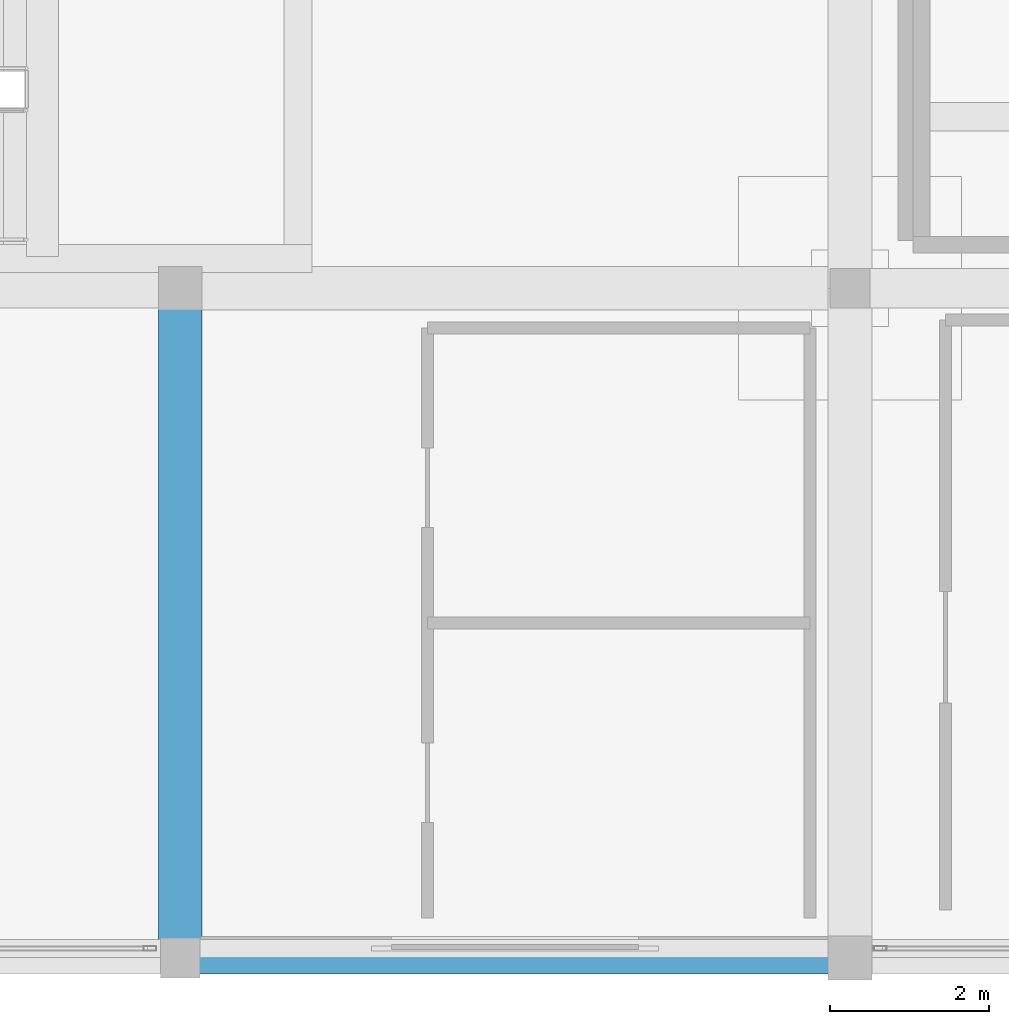
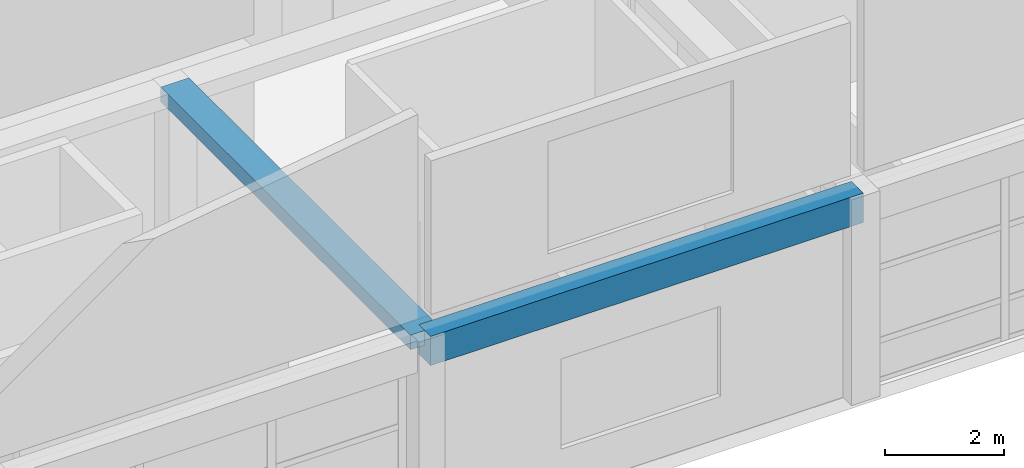
# One storey, part 3 of 17: 2 beams.
"""IFC4 building model written with IfcOpenShell, lengths in metres."""

from ifc_helpers import new_model, si_unit, direction, frame, origin, origin_2d, place, context, subcontext, project, spatial, rectangle, extrude, material, material_profile, profile_set, type_object, element, save


model = new_model("IFC4")

# Units and contexts
model_context = context("Model", 3, precision=1e-05, world=origin(), true_north=direction((0.0, 1.0)))
body_context = subcontext(model_context, "Body", "Model", "MODEL_VIEW")
ifc_project = project(units=[si_unit("LENGTHUNIT", "METRE"), si_unit("AREAUNIT", "SQUARE_METRE"), si_unit("VOLUMEUNIT", "CUBIC_METRE"), si_unit("PLANEANGLEUNIT", "RADIAN"), si_unit("MASSUNIT", "GRAM", prefix="KILO")], contexts=[model_context])

# Site, building, storey
site_placement = place(None, origin())
site = spatial("IfcSite", under=ifc_project, at=site_placement, CompositionType="ELEMENT")
building_placement = place(site_placement, origin())
building = spatial("IfcBuilding", under=site, at=building_placement, Name="Almacenes y Pasaje Nevantli", CompositionType="ELEMENT")
storey_placement = place(building_placement, frame((0.0, 0.0, 66.699951171875)))
storey = spatial("IfcBuildingStorey", under=building, at=storey_placement, Name="L16", CompositionType="ELEMENT", Elevation=66.699951171875)

# Beams
ifc_material_1 = material(Name="Concrete C35/45", Category="concrete")
ifc_material_profile_1 = material_profile(ifc_material_1, rectangle(XDim=0.39990234375, YDim=0.60009765625, at=origin_2d()), Name="RC-BM-400x600")
ifc_profile_set_1 = profile_set([ifc_material_profile_1], Name="Concrete C35/45")
beam_type_1 = type_object("IfcBeamType", Name="BM-RC-400x600", PredefinedType="SPANDREL", material=ifc_profile_set_1)
beam_1_placement = place(storey_placement, frame((126.0, 67.199951171875, 3.920166015625), z_axis=(1.0, 0.0, 0.0), x_axis=(0.0, 1.0, 0.0)))
element("IfcBeam", 1, at=beam_1_placement, inside=storey, type_object=beam_type_1, Name="L16 East-West Reinforced Concrete Beam #4044", PredefinedType="SPANDREL", context=body_context, shape_type="SweptSolid", body=[
    extrude(rectangle(XDim=0.39990234375, YDim=0.60009765625, at=origin_2d()), origin(), (0.0, 0.0, 1.0), 8.39990234375),
])
ifc_material_2 = material(Name="Concrete C35/45", Category="concrete")
ifc_material_profile_2 = material_profile(ifc_material_2, rectangle(XDim=0.550048828125, YDim=0.300048828125, at=origin_2d()), Name="RC-BM-550x300")
ifc_profile_set_2 = profile_set([ifc_material_profile_2], Name="Concrete C35/45")
beam_type_2 = type_object("IfcBeamType", Name="BM-RC-550x300", PredefinedType="BEAM", material=ifc_profile_set_2)
beam_2_placement = place(storey_placement, frame((126.0, 67.199951171875, 4.070068359375), z_axis=(0.0, 1.0, 0.0), x_axis=(-1.0, 0.0, 0.0)))
element("IfcBeam", 2, at=beam_2_placement, inside=storey, type_object=beam_type_2, Name="L16 North-South Reinforced Concrete Beam #4058", PredefinedType="BEAM", context=body_context, shape_type="SweptSolid", body=[
    extrude(rectangle(XDim=0.550048828125, YDim=0.300048828125, at=origin_2d()), origin(), (0.0, 0.0, 1.0), 8.400146484375),
])

save(model, "model.ifc")
